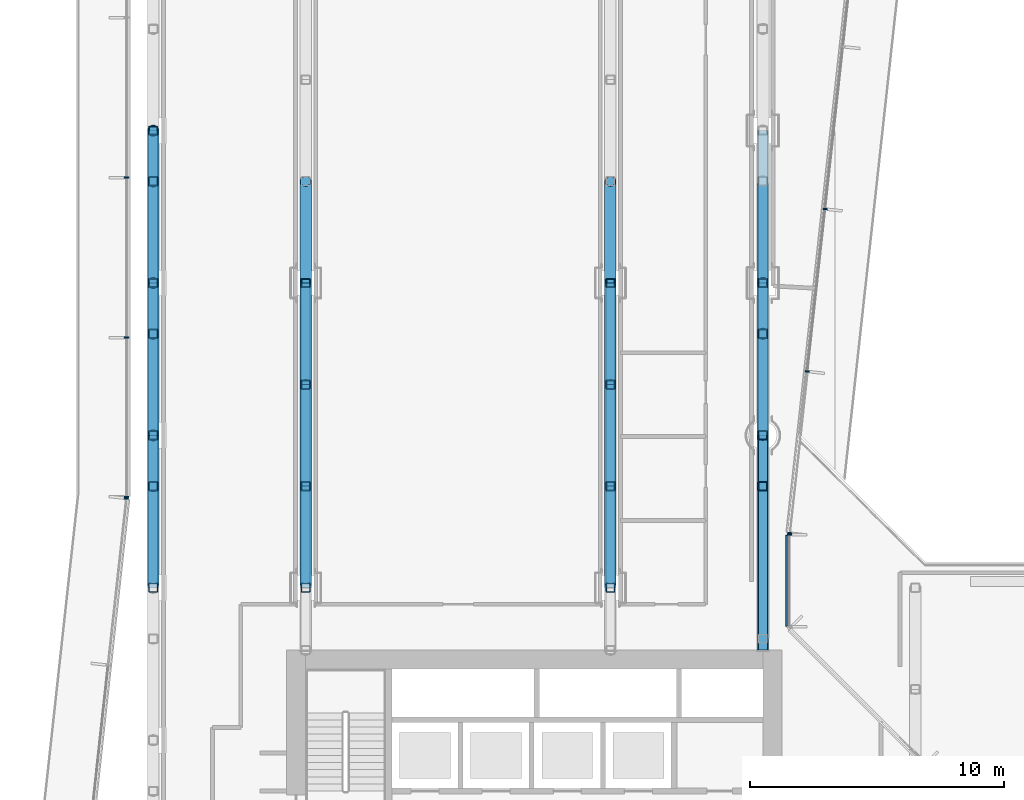
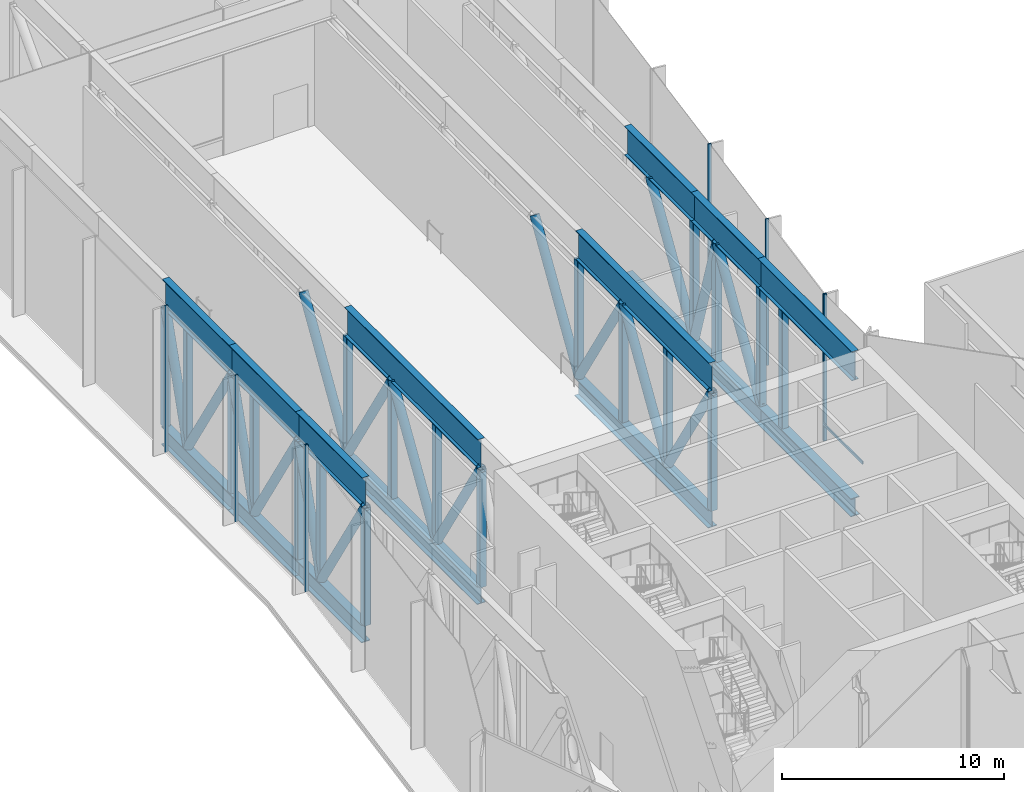
# One storey, part 5 of 24: 61 members, 4 elements without a shape of their own.
"""IFC4 building model written with IfcOpenShell, lengths in metres."""

from ifc_helpers import new_model, si_unit, direction, frame, origin, origin_2d, place, context, subcontext, project, spatial, rectangle, hollow_rectangle, hollow_circle, i_section, extrude, material, layer, layer_set, material_profile, profile_set, type_object, element, aggregate, save


model = new_model("IFC4")

# Units and contexts
model_context = context("Model", 3, precision=1e-05, world=origin(), true_north=direction((0.0, 1.0)))
body_context = subcontext(model_context, "Body", "Model", "MODEL_VIEW")
ifc_project = project(units=[si_unit("LENGTHUNIT", "METRE"), si_unit("AREAUNIT", "SQUARE_METRE"), si_unit("VOLUMEUNIT", "CUBIC_METRE"), si_unit("PLANEANGLEUNIT", "RADIAN"), si_unit("MASSUNIT", "GRAM", prefix="KILO")], contexts=[model_context])

# Site, building, storey
site_placement = place(None, origin())
site = spatial("IfcSite", under=ifc_project, at=site_placement, CompositionType="ELEMENT")
building_placement = place(site_placement, origin())
building = spatial("IfcBuilding", under=site, at=building_placement, Name="Welwitschia Terrace Campus", CompositionType="ELEMENT")
storey_placement = place(building_placement, frame((0.0, 0.0, 138.199951171875)))
storey = spatial("IfcBuildingStorey", under=building, at=storey_placement, Name="L31", CompositionType="ELEMENT", Elevation=138.199951171875)

# Curtain wall, member
ifc_material_1 = material(Name="Bronze anodised aluminium", Category="aluminium")
ifc_layer = layer(ifc_material_1, 0.159912109375)
ifc_layer_set = layer_set([ifc_layer], Name="Bronze anodised aluminium")
curtain_wall_type = type_object("IfcCurtainWallType", Name="Curtain wall CW3 commons 6000", PredefinedType="NOTDEFINED", material=ifc_layer_set)
curtain_wall_1_placement = place(storey_placement, origin())
curtain_wall_1 = element("IfcCurtainWall", 1, at=curtain_wall_1_placement, inside=storey, type_object=curtain_wall_type, Name="CW L31.9.0", PredefinedType="NOTDEFINED")
ifc_material_2 = material(Name="Bronze anodised aluminium", Category="aluminium")
ifc_material_profile_1 = material_profile(ifc_material_2, rectangle(XDim=0.159912109375, YDim=0.06005859375, at=origin_2d()))
ifc_profile_set_1 = profile_set([ifc_material_profile_1], Name="Bronze anodised aluminium")
member_type_1 = type_object("IfcMemberType", Name="Mullion 60x160", PredefinedType="MULLION", material=ifc_profile_set_1)
member_1_placement = place(storey_placement, frame((25.050048828125, 30.09326171875, 0.0), z_axis=(0.0, 0.0, 1.0), x_axis=(-1.0, 0.0, 0.0)))
member_1 = element("IfcMember", 2, at=member_1_placement, type_object=member_type_1, Name="Mullion L31.9.0.1", PredefinedType="MULLION", context=body_context, shape_type="SweptSolid", body=[
    extrude(rectangle(XDim=0.159912109375, YDim=0.06005859375, at=origin_2d()), origin(), (0.0, 0.0, 1.0), 8.050048828125),
])

# Curtain wall, members
curtain_wall_2_placement = place(storey_placement, origin())
curtain_wall_2 = element("IfcCurtainWall", 3, at=curtain_wall_2_placement, inside=storey, type_object=curtain_wall_type, Name="CW L31.10.0", PredefinedType="NOTDEFINED")
member_2_placement = place(storey_placement, frame((25.05322265625, 30.153076171875, 0.0), z_axis=(0.0, 0.0, 1.0), x_axis=(-0.994056338222, 0.108866874852, 0.0)))
member_2 = element("IfcMember", 4, at=member_2_placement, type_object=member_type_1, Name="Mullion L31.10.0.0", PredefinedType="MULLION", context=body_context, shape_type="SweptSolid", body=[
    extrude(rectangle(XDim=0.159912109375, YDim=0.06005859375, at=origin_2d()), origin(), (0.0, 0.0, 1.0), 8.050048828125),
])
member_3_placement = place(storey_placement, frame((25.750244140625, 36.51611328125, 0.0), z_axis=(0.0, 0.0, 1.0), x_axis=(-0.994056338222, 0.108866874852, 0.0)))
member_3 = element("IfcMember", 5, at=member_3_placement, type_object=member_type_1, Name="Mullion L31.10.0.1", PredefinedType="MULLION", context=body_context, shape_type="SweptSolid", body=[
    extrude(rectangle(XDim=0.159912109375, YDim=0.06005859375, at=origin_2d()), origin(), (0.0, 0.0, 1.0), 8.050048828125),
])
member_4_placement = place(storey_placement, frame((26.4501953125, 42.9091796875, 0.0), z_axis=(0.0, 0.0, 1.0), x_axis=(-0.994056338222, 0.108866874852, 0.0)))
member_4 = element("IfcMember", 6, at=member_4_placement, type_object=member_type_1, Name="Mullion L31.10.0.2", PredefinedType="MULLION", context=body_context, shape_type="SweptSolid", body=[
    extrude(rectangle(XDim=0.159912109375, YDim=0.06005859375, at=origin_2d()), origin(), (0.0, 0.0, 1.0), 8.050048828125),
])
aggregate(curtain_wall_2, [member_2, member_3, member_4])

curtain_wall_3_placement = place(storey_placement, origin())
curtain_wall_3 = element("IfcCurtainWall", 7, at=curtain_wall_3_placement, inside=storey, type_object=curtain_wall_type, Name="CW L31.13.0", PredefinedType="NOTDEFINED")
member_5_placement = place(storey_placement, frame((-1.050048828125, 44.14892578125, 0.0), z_axis=(0.0, 0.0, 1.0), x_axis=(1.0, 0.0, 0.0)))
member_5 = element("IfcMember", 8, at=member_5_placement, type_object=member_type_1, Name="Mullion L31.13.0.3", PredefinedType="MULLION", context=body_context, shape_type="SweptSolid", body=[
    extrude(rectangle(XDim=0.159912109375, YDim=0.06005859375, at=origin_2d()), origin(), (0.0, 0.0, 1.0), 8.050048828125),
])
member_6_placement = place(storey_placement, frame((-1.050048828125, 37.8486328125, 0.0), z_axis=(0.0, 0.0, 1.0), x_axis=(1.0, 0.0, 0.0)))
member_6 = element("IfcMember", 9, at=member_6_placement, type_object=member_type_1, Name="Mullion L31.13.0.4", PredefinedType="MULLION", context=body_context, shape_type="SweptSolid", body=[
    extrude(rectangle(XDim=0.159912109375, YDim=0.06005859375, at=origin_2d()), origin(), (0.0, 0.0, 1.0), 8.050048828125),
])
member_7_placement = place(storey_placement, frame((-1.050048828125, 31.578369140625, 0.0), z_axis=(0.0, 0.0, 1.0), x_axis=(1.0, 0.0, 0.0)))
member_7 = element("IfcMember", 10, at=member_7_placement, type_object=member_type_1, Name="Mullion L31.13.0.5", PredefinedType="MULLION", context=body_context, shape_type="SweptSolid", body=[
    extrude(rectangle(XDim=0.159912109375, YDim=0.06005859375, at=origin_2d()), origin(), (0.0, 0.0, 1.0), 8.050048828125),
])
aggregate(curtain_wall_3, [member_5, member_6, member_7])

# Curtain wall, member
curtain_wall_4_placement = place(storey_placement, origin())
curtain_wall_4 = element("IfcCurtainWall", 11, at=curtain_wall_4_placement, inside=storey, type_object=curtain_wall_type, Name="CW L31.14.0", PredefinedType="NOTDEFINED")
member_8_placement = place(storey_placement, frame((-1.05322265625, 31.518310546875, 0.0), z_axis=(0.0, 0.0, 1.0), x_axis=(0.994056338222, -0.108866874852, 0.0)))
member_8 = element("IfcMember", 12, at=member_8_placement, type_object=member_type_1, Name="Mullion L31.14.0.0", PredefinedType="MULLION", context=body_context, shape_type="SweptSolid", body=[
    extrude(rectangle(XDim=0.159912109375, YDim=0.06005859375, at=origin_2d()), origin(), (0.0, 0.0, 1.0), 8.050048828125),
])
aggregate(curtain_wall_4, [member_8])

# Members
ifc_material_3 = material(Name="Steel S355", Category="steel")
ifc_material_profile_2 = material_profile(ifc_material_3, i_section(OverallWidth=0.449951171875, OverallDepth=1.0, WebThickness=0.030029296875, FlangeThickness=0.0400390625, at=origin_2d()))
ifc_profile_set_2 = profile_set([ifc_material_profile_2], Name="Steel S355")
member_type_2 = type_object("IfcMemberType", Name="Transfer truss C2 bottom chord WI 1000x450x30x40", PredefinedType="CHORD", material=ifc_profile_set_2)
for number, where, z_axis, x_axis, name in (
    (13, (0.0, 28.0, -0.5), (0.0, 1.0, 0.0), (-1.0, 0.0, 0.0), "Truss bottom chord"),
    (14, (0.0, 34.0, -0.5), (0.0, 1.0, 0.0), (-1.0, 0.0, 0.0), "Truss bottom chord"),
    (15, (0.0, 40.0, -0.5), (0.0, 1.0, 0.0), (-1.0, 0.0, 0.0), "Truss bottom chord"),
):
    element("IfcMember", number, at=place(storey_placement, frame(where, z_axis=z_axis, x_axis=x_axis)), inside=storey, type_object=member_type_2, Name=name, PredefinedType="CHORD", context=body_context, shape_type="SweptSolid", body=[
        extrude(i_section(OverallWidth=0.449951171875, OverallDepth=1.0, WebThickness=0.030029296875, FlangeThickness=0.0400390625, at=origin_2d()), origin(), (0.0, 0.0, 1.0), 6.0),
    ])
for number, where, z_axis, x_axis, name in (
    (16, (6.0, 28.0, -0.5), (0.0, 1.0, 0.0), (-1.0, 0.0, 0.0), "Truss bottom chord"),
    (17, (18.0, 28.0, -0.5), (0.0, 1.0, 0.0), (-1.0, 0.0, 0.0), "Truss bottom chord"),
):
    element("IfcMember", number, at=place(storey_placement, frame(where, z_axis=z_axis, x_axis=x_axis)), inside=storey, type_object=member_type_2, Name=name, PredefinedType="CHORD", context=body_context, shape_type="SweptSolid", body=[
        extrude(i_section(OverallWidth=0.449951171875, OverallDepth=1.0, WebThickness=0.030029296875, FlangeThickness=0.0400390625, at=origin_2d()), origin(), (0.0, 0.0, 1.0), 12.0),
    ])
member_9_placement = place(storey_placement, frame((24.0, 25.550048828125, -0.5), z_axis=(0.0, 1.0, 0.0), x_axis=(-1.0, 0.0, 0.0)))
element("IfcMember", 18, at=member_9_placement, inside=storey, type_object=member_type_2, Name="Truss bottom chord", PredefinedType="CHORD", context=body_context, shape_type="SweptSolid", body=[
    extrude(i_section(OverallWidth=0.449951171875, OverallDepth=1.0, WebThickness=0.030029296875, FlangeThickness=0.0400390625, at=origin_2d()), origin(), (0.0, 0.0, 1.0), 8.449951171875),
])
for number, where, z_axis, x_axis, name in (
    (19, (24.0, 34.0, -0.5), (0.0, 1.0, 0.0), (-1.0, 0.0, 0.0), "Truss bottom chord"),
    (20, (24.0, 40.0, -0.5), (0.0, 1.0, 0.0), (-1.0, 0.0, 0.0), "Truss bottom chord"),
):
    element("IfcMember", number, at=place(storey_placement, frame(where, z_axis=z_axis, x_axis=x_axis)), inside=storey, type_object=member_type_2, Name=name, PredefinedType="CHORD", context=body_context, shape_type="SweptSolid", body=[
        extrude(i_section(OverallWidth=0.449951171875, OverallDepth=1.0, WebThickness=0.030029296875, FlangeThickness=0.0400390625, at=origin_2d()), origin(), (0.0, 0.0, 1.0), 6.0),
    ])
ifc_material_4 = material(Name="Steel S355", Category="steel")
ifc_material_profile_3 = material_profile(ifc_material_4, hollow_circle(Radius=0.228515625, WallThickness=0.02001953125, at=origin_2d()))
ifc_profile_set_3 = profile_set([ifc_material_profile_3], Name="Steel S355")
member_type_3 = type_object("IfcMemberType", Name="Transfer truss C2 diagonal CHS 457x20", PredefinedType="BRACE", material=ifc_profile_set_3)
member_10_placement = place(storey_placement, frame((0.0, 32.0, 0.0), z_axis=(0.0, -0.527037721004, 0.849841891553), x_axis=(1.0, 0.0, 0.0)))
element("IfcMember", 21, at=member_10_placement, inside=storey, type_object=member_type_3, Name="Truss diagonal", PredefinedType="BRACE", context=body_context, shape_type="SweptSolid", body=[
    extrude(hollow_circle(Radius=0.228515625, WallThickness=0.02001953125, at=origin_2d()), origin(), (0.0, 0.0, 1.0), 7.589599609375),
])
member_11_placement = place(storey_placement, frame((0.0, 32.0, 0.0), z_axis=(0.0, 0.296168365803, 0.955135749042), x_axis=(-1.0, 0.0, 0.0)))
element("IfcMember", 22, at=member_11_placement, inside=storey, type_object=member_type_3, Name="Truss diagonal", PredefinedType="BRACE", context=body_context, shape_type="SweptSolid", body=[
    extrude(hollow_circle(Radius=0.228515625, WallThickness=0.02001953125, at=origin_2d()), origin(), (0.0, 0.0, 1.0), 6.7529296875),
])
member_12_placement = place(storey_placement, frame((0.0, 38.0, 0.0), z_axis=(0.0, -0.527037721004, 0.849841891553), x_axis=(1.0, 0.0, 0.0)))
element("IfcMember", 23, at=member_12_placement, inside=storey, type_object=member_type_3, Name="Truss diagonal", PredefinedType="BRACE", context=body_context, shape_type="SweptSolid", body=[
    extrude(hollow_circle(Radius=0.228515625, WallThickness=0.02001953125, at=origin_2d()), origin(), (0.0, 0.0, 1.0), 7.589599609375),
])
member_13_placement = place(storey_placement, frame((0.0, 38.0, 0.0), z_axis=(0.0, 0.296168365803, 0.955135749042), x_axis=(-1.0, 0.0, 0.0)))
element("IfcMember", 24, at=member_13_placement, inside=storey, type_object=member_type_3, Name="Truss diagonal", PredefinedType="BRACE", context=body_context, shape_type="SweptSolid", body=[
    extrude(hollow_circle(Radius=0.228515625, WallThickness=0.02001953125, at=origin_2d()), origin(), (0.0, 0.0, 1.0), 6.7529296875),
])
member_14_placement = place(storey_placement, frame((0.0, 44.0, 0.0), z_axis=(0.0, -0.527037721004, 0.849841891553), x_axis=(1.0, 0.0, 0.0)))
element("IfcMember", 25, at=member_14_placement, inside=storey, type_object=member_type_3, Name="Truss diagonal", PredefinedType="BRACE", context=body_context, shape_type="SweptSolid", body=[
    extrude(hollow_circle(Radius=0.228515625, WallThickness=0.02001953125, at=origin_2d()), origin(), (0.0, 0.0, 1.0), 7.589599609375),
])
member_15_placement = place(storey_placement, frame((0.0, 44.0, 0.0), z_axis=(0.0, 0.296168365803, 0.955135749042), x_axis=(-1.0, 0.0, 0.0)))
element("IfcMember", 26, at=member_15_placement, inside=storey, type_object=member_type_3, Name="Truss diagonal", PredefinedType="BRACE", context=body_context, shape_type="SweptSolid", body=[
    extrude(hollow_circle(Radius=0.228515625, WallThickness=0.02001953125, at=origin_2d()), origin(), (0.0, 0.0, 1.0), 6.7529296875),
])
for number, where, z_axis, x_axis, name in (
    (27, (6.0, 32.0, 0.0), (0.0, -0.527037721004, 0.849841891553), (1.0, 0.0, 0.0), "Truss diagonal"),
    (28, (6.0, 32.0, 0.0), (0.0, 0.527037721004, 0.849841891553), (-1.0, 0.0, 0.0), "Truss diagonal"),
    (29, (6.0, 40.0, 0.0), (0.0, -0.527037721004, 0.849841891553), (1.0, 0.0, 0.0), "Truss diagonal"),
    (30, (6.0, 40.0, 0.0), (0.0, 0.527037721004, 0.849841891553), (-1.0, 0.0, 0.0), "Truss diagonal"),
    (31, (18.0, 32.0, 0.0), (0.0, -0.527037721004, 0.849841891553), (1.0, 0.0, 0.0), "Truss diagonal"),
    (32, (18.0, 32.0, 0.0), (0.0, 0.527037721004, 0.849841891553), (-1.0, 0.0, 0.0), "Truss diagonal"),
    (33, (18.0, 40.0, 0.0), (0.0, -0.527037721004, 0.849841891553), (1.0, 0.0, 0.0), "Truss diagonal"),
    (34, (18.0, 40.0, 0.0), (0.0, 0.527037721004, 0.849841891553), (-1.0, 0.0, 0.0), "Truss diagonal"),
    (35, (24.0, 34.0, 0.0), (0.0, 0.527037721004, 0.849841891553), (-1.0, 0.0, 0.0), "Truss diagonal"),
):
    element("IfcMember", number, at=place(storey_placement, frame(where, z_axis=z_axis, x_axis=x_axis)), inside=storey, type_object=member_type_3, Name=name, PredefinedType="BRACE", context=body_context, shape_type="SweptSolid", body=[
        extrude(hollow_circle(Radius=0.228515625, WallThickness=0.02001953125, at=origin_2d()), origin(), (0.0, 0.0, 1.0), 7.589599609375),
    ])
member_16_placement = place(storey_placement, frame((24.0, 40.0, 0.0), z_axis=(0.0, -0.296168365803, 0.955135749042), x_axis=(1.0, 0.0, 0.0)))
element("IfcMember", 36, at=member_16_placement, inside=storey, type_object=member_type_3, Name="Truss diagonal", PredefinedType="BRACE", context=body_context, shape_type="SweptSolid", body=[
    extrude(hollow_circle(Radius=0.228515625, WallThickness=0.02001953125, at=origin_2d()), origin(), (0.0, 0.0, 1.0), 6.7529296875),
])
member_17_placement = place(storey_placement, frame((24.0, 40.0, 0.0), z_axis=(0.0, 0.527037721004, 0.849841891553), x_axis=(-1.0, 0.0, 0.0)))
element("IfcMember", 37, at=member_17_placement, inside=storey, type_object=member_type_3, Name="Truss diagonal", PredefinedType="BRACE", context=body_context, shape_type="SweptSolid", body=[
    extrude(hollow_circle(Radius=0.228515625, WallThickness=0.02001953125, at=origin_2d()), origin(), (0.0, 0.0, 1.0), 7.589599609375),
])
ifc_material_5 = material(Name="Steel S355", Category="steel")
ifc_material_profile_4 = material_profile(ifc_material_5, hollow_rectangle(XDim=0.35009765625, YDim=0.35009765625, WallThickness=0.02001953125, InnerFilletRadius=0.02001953125, OuterFilletRadius=0.030029296875, at=origin_2d()))
ifc_profile_set_4 = profile_set([ifc_material_profile_4], Name="Steel S355")
member_type_4 = type_object("IfcMemberType", Name="Transfer truss C2 post SHS 350x350x20", PredefinedType="POST", material=ifc_profile_set_4)
for number, where, z_axis, x_axis, name in (
    (38, (0.0, 28.0, 0.0), (0.0, 0.0, 1.0), (1.0, 0.0, 0.0), "Truss post"),
    (39, (0.0, 32.0, 0.0), (0.0, 0.0, 1.0), (1.0, 0.0, 0.0), "Truss post"),
    (40, (0.0, 34.0, 0.0), (0.0, 0.0, 1.0), (1.0, 0.0, 0.0), "Truss post"),
    (41, (0.0, 38.0, 0.0), (0.0, 0.0, 1.0), (1.0, 0.0, 0.0), "Truss post"),
    (42, (0.0, 40.0, 0.0), (0.0, 0.0, 1.0), (1.0, 0.0, 0.0), "Truss post"),
    (43, (0.0, 44.0, 0.0), (0.0, 0.0, 1.0), (1.0, 0.0, 0.0), "Truss post"),
    (44, (0.0, 46.0, 0.0), (0.0, 0.0, 1.0), (1.0, 0.0, 0.0), "Truss post"),
    (45, (6.0, 28.0, 0.0), (0.0, 0.0, 1.0), (1.0, 0.0, 0.0), "Truss post"),
    (46, (6.0, 32.0, 0.0), (0.0, 0.0, 1.0), (1.0, 0.0, 0.0), "Truss post"),
    (47, (6.0, 36.0, 0.0), (0.0, 0.0, 1.0), (1.0, 0.0, 0.0), "Truss post"),
    (48, (6.0, 40.0, 0.0), (0.0, 0.0, 1.0), (1.0, 0.0, 0.0), "Truss post"),
    (49, (18.0, 28.0, 0.0), (0.0, 0.0, 1.0), (1.0, 0.0, 0.0), "Truss post"),
    (50, (18.0, 32.0, 0.0), (0.0, 0.0, 1.0), (1.0, 0.0, 0.0), "Truss post"),
    (51, (18.0, 36.0, 0.0), (0.0, 0.0, 1.0), (1.0, 0.0, 0.0), "Truss post"),
    (52, (18.0, 40.0, 0.0), (0.0, 0.0, 1.0), (1.0, 0.0, 0.0), "Truss post"),
    (53, (24.0, 32.0, 0.0), (0.0, 0.0, 1.0), (1.0, 0.0, 0.0), "Truss post"),
    (54, (24.0, 34.0, 0.0), (0.0, 0.0, 1.0), (1.0, 0.0, 0.0), "Truss post"),
    (55, (24.0, 38.0, 0.0), (0.0, 0.0, 1.0), (1.0, 0.0, 0.0), "Truss post"),
    (56, (24.0, 40.0, 0.0), (0.0, 0.0, 1.0), (1.0, 0.0, 0.0), "Truss post"),
):
    element("IfcMember", number, at=place(storey_placement, frame(where, z_axis=z_axis, x_axis=x_axis)), inside=storey, type_object=member_type_4, Name=name, PredefinedType="POST", context=body_context, shape_type="SweptSolid", body=[
        extrude(hollow_rectangle(XDim=0.35009765625, YDim=0.35009765625, WallThickness=0.02001953125, InnerFilletRadius=0.02001953125, OuterFilletRadius=0.030029296875, at=origin_2d()), origin(), (0.0, 0.0, 1.0), 6.449951171875),
    ])
ifc_material_6 = material(Name="Steel S355", Category="steel")
ifc_material_profile_5 = material_profile(ifc_material_6, i_section(OverallWidth=0.35009765625, OverallDepth=1.60009765625, WebThickness=0.030029296875, FlangeThickness=0.0400390625, at=origin_2d()))
ifc_profile_set_5 = profile_set([ifc_material_profile_5], Name="Steel S355")
member_type_5 = type_object("IfcMemberType", Name="Transfer truss C2 top chord WI 1600x350x30x40", PredefinedType="CHORD", material=ifc_profile_set_5)
for number, where, z_axis, x_axis, name in (
    (57, (0.0, 28.0, 7.25), (0.0, 1.0, 0.0), (-1.0, 0.0, 0.0), "Truss top chord"),
    (58, (0.0, 34.0, 7.25), (0.0, 1.0, 0.0), (-1.0, 0.0, 0.0), "Truss top chord"),
    (59, (0.0, 40.0, 7.25), (0.0, 1.0, 0.0), (-1.0, 0.0, 0.0), "Truss top chord"),
):
    element("IfcMember", number, at=place(storey_placement, frame(where, z_axis=z_axis, x_axis=x_axis)), inside=storey, type_object=member_type_5, Name=name, PredefinedType="CHORD", context=body_context, shape_type="SweptSolid", body=[
        extrude(i_section(OverallWidth=0.35009765625, OverallDepth=1.60009765625, WebThickness=0.030029296875, FlangeThickness=0.0400390625, at=origin_2d()), origin(), (0.0, 0.0, 1.0), 6.0),
    ])
for number, where, z_axis, x_axis, name in (
    (60, (6.0, 28.0, 7.25), (0.0, 1.0, 0.0), (-1.0, 0.0, 0.0), "Truss top chord"),
    (61, (18.0, 28.0, 7.25), (0.0, 1.0, 0.0), (-1.0, 0.0, 0.0), "Truss top chord"),
):
    element("IfcMember", number, at=place(storey_placement, frame(where, z_axis=z_axis, x_axis=x_axis)), inside=storey, type_object=member_type_5, Name=name, PredefinedType="CHORD", context=body_context, shape_type="SweptSolid", body=[
        extrude(i_section(OverallWidth=0.35009765625, OverallDepth=1.60009765625, WebThickness=0.030029296875, FlangeThickness=0.0400390625, at=origin_2d()), origin(), (0.0, 0.0, 1.0), 12.0),
    ])
member_18_placement = place(storey_placement, frame((24.0, 25.550048828125, 7.25), z_axis=(0.0, 1.0, 0.0), x_axis=(-1.0, 0.0, 0.0)))
element("IfcMember", 62, at=member_18_placement, inside=storey, type_object=member_type_5, Name="Truss top chord", PredefinedType="CHORD", context=body_context, shape_type="SweptSolid", body=[
    extrude(i_section(OverallWidth=0.35009765625, OverallDepth=1.60009765625, WebThickness=0.030029296875, FlangeThickness=0.0400390625, at=origin_2d()), origin(), (0.0, 0.0, 1.0), 8.449951171875),
])
for number, where, z_axis, x_axis, name in (
    (63, (24.0, 34.0, 7.25), (0.0, 1.0, 0.0), (-1.0, 0.0, 0.0), "Truss top chord"),
    (64, (24.0, 40.0, 7.25), (0.0, 1.0, 0.0), (-1.0, 0.0, 0.0), "Truss top chord"),
):
    element("IfcMember", number, at=place(storey_placement, frame(where, z_axis=z_axis, x_axis=x_axis)), inside=storey, type_object=member_type_5, Name=name, PredefinedType="CHORD", context=body_context, shape_type="SweptSolid", body=[
        extrude(i_section(OverallWidth=0.35009765625, OverallDepth=1.60009765625, WebThickness=0.030029296875, FlangeThickness=0.0400390625, at=origin_2d()), origin(), (0.0, 0.0, 1.0), 6.0),
    ])

# Member
ifc_material_7 = material(Name="Bronze anodised aluminium", Category="aluminium")
ifc_material_profile_6 = material_profile(ifc_material_7, rectangle(XDim=0.06005859375, YDim=0.14990234375, at=origin_2d()))
ifc_profile_set_6 = profile_set([ifc_material_profile_6], Name="Bronze anodised aluminium")
member_type_6 = type_object("IfcMemberType", Name="Transom 60x150", PredefinedType="USERDEFINED", material=ifc_profile_set_6)
member_19_placement = place(storey_placement, frame((24.93994140625, 26.494873046875, 1.0), z_axis=(0.0, 1.0, 0.0), x_axis=(-1.0, 0.0, 0.0)))
member_19 = element("IfcMember", 65, at=member_19_placement, type_object=member_type_6, Name="Transom L31.9.0", ObjectType="TRANSOM", PredefinedType="USERDEFINED", context=body_context, shape_type="SweptSolid", body=[
    extrude(rectangle(XDim=0.06005859375, YDim=0.14990234375, at=origin_2d()), origin(), (0.0, 0.0, 1.0), 3.568359375),
])

aggregate(curtain_wall_1, [member_1, member_19])

save(model, "model.ifc")
